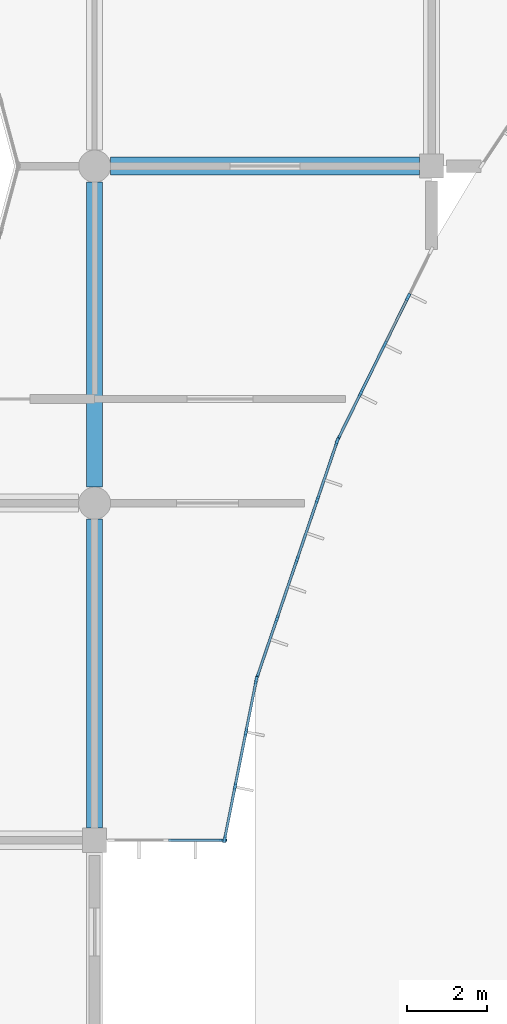
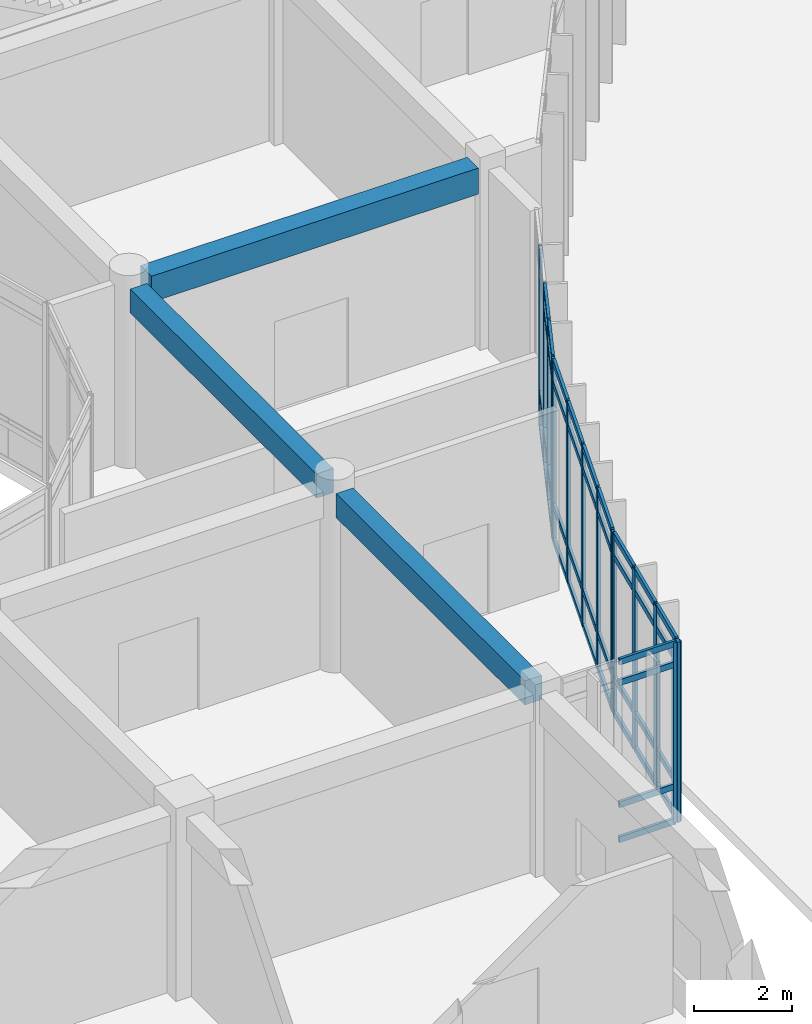
# One storey, part 53 of 138: 56 members, 3 beams, 4 elements without a shape of their own.
"""IFC4 building model written with IfcOpenShell, lengths in metres."""

from ifc_helpers import new_model, si_unit, direction, frame, origin, origin_2d, place, context, subcontext, project, spatial, rectangle, extrude, material, layer, layer_set, material_profile, profile_set, type_object, element, aggregate, save


model = new_model("IFC4")

# Units and contexts
model_context = context("Model", 3, precision=1e-05, world=origin(), true_north=direction((0.0, 1.0)))
body_context = subcontext(model_context, "Body", "Model", "MODEL_VIEW")
ifc_project = project(units=[si_unit("LENGTHUNIT", "METRE"), si_unit("AREAUNIT", "SQUARE_METRE"), si_unit("VOLUMEUNIT", "CUBIC_METRE"), si_unit("PLANEANGLEUNIT", "RADIAN"), si_unit("MASSUNIT", "GRAM", prefix="KILO")], contexts=[model_context])

# Site, building, storey
site_placement = place(None, origin())
site = spatial("IfcSite", under=ifc_project, at=site_placement, CompositionType="ELEMENT")
building_placement = place(site_placement, origin())
building = spatial("IfcBuilding", under=site, at=building_placement, Name="Bramfleet General Hospital", CompositionType="ELEMENT")
storey_placement = place(building_placement, origin())
storey = spatial("IfcBuildingStorey", under=building, at=storey_placement, Name="L00", CompositionType="ELEMENT", Elevation=0.0)

# Beams
ifc_material_1 = material(Name="Concrete C35/45", Category="concrete")
ifc_material_profile_1 = material_profile(ifc_material_1, rectangle(XDim=0.39990234375, YDim=0.60009765625, at=origin_2d()), Name="RC BM 600x400")
ifc_profile_set_1 = profile_set([ifc_material_profile_1], Name="Concrete C35/45")
beam_type_1 = type_object("IfcBeamType", Name="BM-RC600", PredefinedType="BEAM", material=ifc_profile_set_1)
beam_1_placement = place(storey_placement, frame((126.0, 50.699951171875, 4.199951171875), z_axis=(0.0, 1.0, 0.0), x_axis=(-1.0, 0.0, 0.0)))
element("IfcBeam", 1, at=beam_1_placement, inside=storey, type_object=beam_type_1, Name="L00 Grid Beam Y 15-06", PredefinedType="BEAM", context=body_context, shape_type="SweptSolid", body=[
    extrude(rectangle(XDim=0.39990234375, YDim=0.60009765625, at=origin_2d()), origin(), (0.0, 0.0, 1.0), 7.699951171875),
])
beam_2_placement = place(storey_placement, frame((126.0, 59.199951171875, 4.199951171875), z_axis=(0.0, 1.0, 0.0), x_axis=(-1.0, 0.0, 0.0)))
element("IfcBeam", 2, at=beam_2_placement, inside=storey, type_object=beam_type_1, Name="L00 Grid Beam Y 15-07", PredefinedType="BEAM", context=body_context, shape_type="SweptSolid", body=[
    extrude(rectangle(XDim=0.39990234375, YDim=0.60009765625, at=origin_2d()), origin(), (0.0, 0.0, 1.0), 7.60009765625),
])
ifc_material_profile_2 = material_profile(ifc_material_1, rectangle(XDim=0.449951171875, YDim=0.64990234375, at=origin_2d()), Name="RC BM 650x450")
ifc_profile_set_2 = profile_set([ifc_material_profile_2], Name="Concrete C35/45")
beam_type_2 = type_object("IfcBeamType", Name="BM-RC650", PredefinedType="BEAM", material=ifc_profile_set_2)
beam_3_placement = place(storey_placement, frame((126.39990234375, 67.199951171875, 4.175048828125), z_axis=(1.0, 0.0, 0.0), x_axis=(0.0, 1.0, 0.0)))
element("IfcBeam", 3, at=beam_3_placement, inside=storey, type_object=beam_type_2, Name="L00 Grid Beam X 15-08", PredefinedType="BEAM", context=body_context, shape_type="SweptSolid", body=[
    extrude(rectangle(XDim=0.449951171875, YDim=0.64990234375, at=origin_2d()), origin(), (0.0, 0.0, 1.0), 7.7001953125),
])

# Curtain wall, members
ifc_material_2 = material(Name="Anodised aluminium and low-E triple glazing", Category="aluminium")
ifc_layer_1 = layer(ifc_material_2, 0.179931640625, Name="CWT-CW-18")
ifc_layer_set_1 = layer_set([ifc_layer_1], Name="Anodised aluminium and low-E triple glazing")
curtain_wall_type_1 = type_object("IfcCurtainWallType", Name="CWT-CW-18", PredefinedType="USERDEFINED", material=ifc_layer_set_1)
curtain_wall_1_placement = place(storey_placement, origin())
curtain_wall_1 = element("IfcCurtainWall", 4, at=curtain_wall_1_placement, inside=storey, type_object=curtain_wall_type_1, Name="L00 Curtain Wall 18", ObjectType="Stick curtain wall", PredefinedType="USERDEFINED")
ifc_material_3 = material(Name="Structural timber GL28h", Category="wood")
ifc_material_profile_3 = material_profile(ifc_material_3, rectangle(XDim=0.070068359375, YDim=0.18994140625, at=origin_2d()), Name="LARCH 190x70")
ifc_profile_set_3 = profile_set([ifc_material_profile_3], Name="Structural timber GL28h")
member_type_1 = type_object("IfcMemberType", Name="CWM-LARCH450", PredefinedType="MULLION", material=ifc_profile_set_3)
member_1_placement = place(storey_placement, frame((133.8134765625, 63.936767578125, 0.0), z_axis=(0.0, 0.0, 1.0), x_axis=(0.896864723513, -0.442304948782, 0.0)))
member_1 = element("IfcMember", 5, at=member_1_placement, type_object=member_type_1, Name="CW-18 mullion 2", PredefinedType="MULLION", context=body_context, shape_type="SweptSolid", body=[
    extrude(rectangle(XDim=0.070068359375, YDim=0.18994140625, at=origin_2d()), origin(), (0.0, 0.0, 1.0), 4.489990234375),
])
member_2_placement = place(storey_placement, frame((133.22705078125, 62.74755859375, 0.0), z_axis=(0.0, 0.0, 1.0), x_axis=(0.896864723513, -0.442304948782, 0.0)))
member_2 = element("IfcMember", 6, at=member_2_placement, type_object=member_type_1, Name="CW-18 mullion 3", PredefinedType="MULLION", context=body_context, shape_type="SweptSolid", body=[
    extrude(rectangle(XDim=0.070068359375, YDim=0.18994140625, at=origin_2d()), origin(), (0.0, 0.0, 1.0), 4.489990234375),
])
member_3_placement = place(storey_placement, frame((132.640380859375, 61.558349609375, 0.0), z_axis=(0.0, 0.0, 1.0), x_axis=(0.896864723513, -0.442304948782, 0.0)))
member_3 = element("IfcMember", 7, at=member_3_placement, type_object=member_type_1, Name="CW-18 mullion 4", PredefinedType="MULLION", context=body_context, shape_type="SweptSolid", body=[
    extrude(rectangle(XDim=0.070068359375, YDim=0.18994140625, at=origin_2d()), origin(), (0.0, 0.0, 1.0), 4.489990234375),
])
member_4_placement = place(storey_placement, frame((132.069580078125, 60.400390625, 0.0), z_axis=(0.0, 0.0, 1.0), x_axis=(0.896864723513, -0.442304948782, 0.0)))
member_4 = element("IfcMember", 8, at=member_4_placement, type_object=member_type_1, Name="CW-18 mullion 5", PredefinedType="MULLION", context=body_context, shape_type="SweptSolid", body=[
    extrude(rectangle(XDim=0.070068359375, YDim=0.18994140625, at=origin_2d()), origin(), (0.0, 0.0, 1.0), 4.489990234375),
])

ifc_layer_2 = layer(ifc_material_2, 0.179931640625, Name="CWT-CW-01")
ifc_layer_set_2 = layer_set([ifc_layer_2], Name="Anodised aluminium and low-E triple glazing")
curtain_wall_type_2 = type_object("IfcCurtainWallType", Name="CWT-CW-01", PredefinedType="USERDEFINED", material=ifc_layer_set_2)
curtain_wall_2_placement = place(storey_placement, origin())
curtain_wall_2 = element("IfcCurtainWall", 9, at=curtain_wall_2_placement, inside=storey, type_object=curtain_wall_type_2, Name="L00 Curtain Wall 19", ObjectType="Unitised curtain wall", PredefinedType="USERDEFINED")
member_5_placement = place(storey_placement, frame((132.042724609375, 60.3359375, 0.0), z_axis=(0.0, 0.0, 1.0), x_axis=(0.946949276617, -0.321383054181, 0.0)))
member_5 = element("IfcMember", 10, at=member_5_placement, type_object=member_type_1, Name="CW-01 mullion 1", PredefinedType="MULLION", context=body_context, shape_type="SweptSolid", body=[
    extrude(rectangle(XDim=0.070068359375, YDim=0.18994140625, at=origin_2d()), origin(), (0.0, 0.0, 1.0), 4.489990234375),
])
member_6_placement = place(storey_placement, frame((131.549560546875, 58.882568359375, 0.0), z_axis=(0.0, 0.0, 1.0), x_axis=(0.946949276617, -0.321383054181, 0.0)))
member_6 = element("IfcMember", 11, at=member_6_placement, type_object=member_type_1, Name="CW-01 mullion 2", PredefinedType="MULLION", context=body_context, shape_type="SweptSolid", body=[
    extrude(rectangle(XDim=0.070068359375, YDim=0.18994140625, at=origin_2d()), origin(), (0.0, 0.0, 1.0), 4.489990234375),
])
member_7_placement = place(storey_placement, frame((131.044921875, 57.39599609375, 0.0), z_axis=(0.0, 0.0, 1.0), x_axis=(0.946949276617, -0.321383054181, 0.0)))
member_7 = element("IfcMember", 12, at=member_7_placement, type_object=member_type_1, Name="CW-01 mullion 3", PredefinedType="MULLION", context=body_context, shape_type="SweptSolid", body=[
    extrude(rectangle(XDim=0.070068359375, YDim=0.18994140625, at=origin_2d()), origin(), (0.0, 0.0, 1.0), 4.489990234375),
])
member_8_placement = place(storey_placement, frame((130.54052734375, 55.909423828125, 0.0), z_axis=(0.0, 0.0, 1.0), x_axis=(0.946949276617, -0.321383054181, 0.0)))
member_8 = element("IfcMember", 13, at=member_8_placement, type_object=member_type_1, Name="CW-01 mullion 4", PredefinedType="MULLION", context=body_context, shape_type="SweptSolid", body=[
    extrude(rectangle(XDim=0.070068359375, YDim=0.18994140625, at=origin_2d()), origin(), (0.0, 0.0, 1.0), 4.489990234375),
])
member_9_placement = place(storey_placement, frame((130.04736328125, 54.4560546875, 0.0), z_axis=(0.0, 0.0, 1.0), x_axis=(0.946949276617, -0.321383054181, 0.0)))
member_9 = element("IfcMember", 14, at=member_9_placement, type_object=member_type_1, Name="CW-01 mullion 5", PredefinedType="MULLION", context=body_context, shape_type="SweptSolid", body=[
    extrude(rectangle(XDim=0.070068359375, YDim=0.18994140625, at=origin_2d()), origin(), (0.0, 0.0, 1.0), 4.489990234375),
])

ifc_layer_3 = layer(ifc_material_2, 0.179931640625, Name="CWT-CW-02")
ifc_layer_set_3 = layer_set([ifc_layer_3], Name="Anodised aluminium and low-E triple glazing")
curtain_wall_type_3 = type_object("IfcCurtainWallType", Name="CWT-CW-02", PredefinedType="USERDEFINED", material=ifc_layer_set_3)
curtain_wall_3_placement = place(storey_placement, origin())
curtain_wall_3 = element("IfcCurtainWall", 15, at=curtain_wall_3_placement, inside=storey, type_object=curtain_wall_type_3, Name="L00 Curtain Wall 20", ObjectType="Unitised curtain wall", PredefinedType="USERDEFINED")
member_10_placement = place(storey_placement, frame((130.029052734375, 54.388671875, 0.0), z_axis=(0.0, 0.0, 1.0), x_axis=(0.980749087161, -0.195272189606, 0.0)))
member_10 = element("IfcMember", 16, at=member_10_placement, type_object=member_type_1, Name="CW-02 mullion 1", PredefinedType="MULLION", context=body_context, shape_type="SweptSolid", body=[
    extrude(rectangle(XDim=0.070068359375, YDim=0.18994140625, at=origin_2d()), origin(), (0.0, 0.0, 1.0), 4.489990234375),
])
member_11_placement = place(storey_placement, frame((129.76904296875, 53.08203125, 0.0), z_axis=(0.0, 0.0, 1.0), x_axis=(0.980749087161, -0.195272189606, 0.0)))
member_11 = element("IfcMember", 17, at=member_11_placement, type_object=member_type_1, Name="CW-02 mullion 2", PredefinedType="MULLION", context=body_context, shape_type="SweptSolid", body=[
    extrude(rectangle(XDim=0.070068359375, YDim=0.18994140625, at=origin_2d()), origin(), (0.0, 0.0, 1.0), 4.489990234375),
])
member_12_placement = place(storey_placement, frame((129.501953125, 51.740966796875, 0.0), z_axis=(0.0, 0.0, 1.0), x_axis=(0.980749087161, -0.195272189606, 0.0)))
member_12 = element("IfcMember", 18, at=member_12_placement, type_object=member_type_1, Name="CW-02 mullion 3", PredefinedType="MULLION", context=body_context, shape_type="SweptSolid", body=[
    extrude(rectangle(XDim=0.070068359375, YDim=0.18994140625, at=origin_2d()), origin(), (0.0, 0.0, 1.0), 4.489990234375),
])
member_13_placement = place(storey_placement, frame((129.241943359375, 50.434326171875, 0.0), z_axis=(0.0, 0.0, 1.0), x_axis=(0.980749087161, -0.195272189606, 0.0)))
member_13 = element("IfcMember", 19, at=member_13_placement, type_object=member_type_1, Name="CW-02 mullion 4", PredefinedType="MULLION", context=body_context, shape_type="SweptSolid", body=[
    extrude(rectangle(XDim=0.070068359375, YDim=0.18994140625, at=origin_2d()), origin(), (0.0, 0.0, 1.0), 4.489990234375),
])

# Curtain wall, member
ifc_layer_4 = layer(ifc_material_2, 0.179931640625, Name="CWT-CW-03")
ifc_layer_set_4 = layer_set([ifc_layer_4], Name="Anodised aluminium and low-E triple glazing")
curtain_wall_type_4 = type_object("IfcCurtainWallType", Name="CWT-CW-03", PredefinedType="USERDEFINED", material=ifc_layer_set_4)
curtain_wall_4_placement = place(storey_placement, origin())
curtain_wall_4 = element("IfcCurtainWall", 20, at=curtain_wall_4_placement, inside=storey, type_object=curtain_wall_type_4, Name="L00 Curtain Wall 21", ObjectType="Unitised curtain wall", PredefinedType="USERDEFINED")
member_14_placement = place(storey_placement, frame((129.199951171875, 50.39990234375, 0.0), z_axis=(0.0, 0.0, 1.0), x_axis=(0.0, -1.0, 0.0)))
member_14 = element("IfcMember", 21, at=member_14_placement, type_object=member_type_1, Name="CW-03 mullion 1", PredefinedType="MULLION", context=body_context, shape_type="SweptSolid", body=[
    extrude(rectangle(XDim=0.070068359375, YDim=0.18994140625, at=origin_2d()), origin(), (0.0, 0.0, 1.0), 4.489990234375),
])

# Member
ifc_material_profile_4 = material_profile(ifc_material_3, rectangle(XDim=0.06494140625, YDim=0.14990234375, at=origin_2d()), Name="LARCH 150x65")
ifc_profile_set_4 = profile_set([ifc_material_profile_4], Name="Structural timber GL28h")
member_type_2 = type_object("IfcMemberType", Name="CWT-LARCH220", PredefinedType="USERDEFINED", material=ifc_profile_set_4)
member_15_placement = place(storey_placement, frame((133.798095703125, 63.9052734375, 0.032470703125), z_axis=(-0.44238671825, -0.896824392797, 0.0), x_axis=(0.896824392797, -0.44238671825, 0.0)))
member_15 = element("IfcMember", 22, at=member_15_placement, type_object=member_type_2, Name="CW-18 transom 2.1", ObjectType="TRANSOM", PredefinedType="USERDEFINED", context=body_context, shape_type="SweptSolid", body=[
    extrude(rectangle(XDim=0.06494140625, YDim=0.14990234375, at=origin_2d()), origin(), (0.0, 0.0, 1.0), 1.256103515625),
])

member_16_placement = place(storey_placement, frame((133.798095703125, 63.9052734375, 0.89990234375), z_axis=(-0.44238671825, -0.896824392797, 0.0), x_axis=(0.896824392797, -0.44238671825, 0.0)))
member_16 = element("IfcMember", 23, at=member_16_placement, type_object=member_type_2, Name="CW-18 transom 2.2", ObjectType="TRANSOM", PredefinedType="USERDEFINED", context=body_context, shape_type="SweptSolid", body=[
    extrude(rectangle(XDim=0.06494140625, YDim=0.14990234375, at=origin_2d()), origin(), (0.0, 0.0, 1.0), 1.256103515625),
])

member_17_placement = place(storey_placement, frame((133.21142578125, 62.716064453125, 0.032470703125), z_axis=(-0.442230367252, -0.89690150088, 0.0), x_axis=(0.89690150088, -0.442230367252, 0.0)))
member_17 = element("IfcMember", 24, at=member_17_placement, type_object=member_type_2, Name="CW-18 transom 3.1", ObjectType="TRANSOM", PredefinedType="USERDEFINED", context=body_context, shape_type="SweptSolid", body=[
    extrude(rectangle(XDim=0.06494140625, YDim=0.14990234375, at=origin_2d()), origin(), (0.0, 0.0, 1.0), 1.255859375),
])

member_18_placement = place(storey_placement, frame((133.21142578125, 62.716064453125, 0.89990234375), z_axis=(-0.442230367252, -0.89690150088, 0.0), x_axis=(0.89690150088, -0.442230367252, 0.0)))
member_18 = element("IfcMember", 25, at=member_18_placement, type_object=member_type_2, Name="CW-18 transom 3.2", ObjectType="TRANSOM", PredefinedType="USERDEFINED", context=body_context, shape_type="SweptSolid", body=[
    extrude(rectangle(XDim=0.06494140625, YDim=0.14990234375, at=origin_2d()), origin(), (0.0, 0.0, 1.0), 1.255859375),
])

member_19_placement = place(storey_placement, frame((133.21142578125, 62.716064453125, 3.93994140625), z_axis=(-0.442230367252, -0.89690150088, 0.0), x_axis=(0.89690150088, -0.442230367252, 0.0)))
member_19 = element("IfcMember", 26, at=member_19_placement, type_object=member_type_2, Name="CW-18 transom 3.3", ObjectType="TRANSOM", PredefinedType="USERDEFINED", context=body_context, shape_type="SweptSolid", body=[
    extrude(rectangle(XDim=0.06494140625, YDim=0.14990234375, at=origin_2d()), origin(), (0.0, 0.0, 1.0), 1.255859375),
])

member_20_placement = place(storey_placement, frame((133.21142578125, 62.716064453125, 4.45751953125), z_axis=(-0.442230367252, -0.89690150088, 0.0), x_axis=(0.89690150088, -0.442230367252, 0.0)))
member_20 = element("IfcMember", 27, at=member_20_placement, type_object=member_type_2, Name="CW-18 transom 3.4", ObjectType="TRANSOM", PredefinedType="USERDEFINED", context=body_context, shape_type="SweptSolid", body=[
    extrude(rectangle(XDim=0.06494140625, YDim=0.14990234375, at=origin_2d()), origin(), (0.0, 0.0, 1.0), 1.255859375),
])

member_21_placement = place(storey_placement, frame((132.625, 61.52685546875, 0.032470703125), z_axis=(-0.442327738397, -0.896853484046, 0.0), x_axis=(0.896853484046, -0.442327738397, 0.0)))
member_21 = element("IfcMember", 28, at=member_21_placement, type_object=member_type_2, Name="CW-18 transom 4.1", ObjectType="TRANSOM", PredefinedType="USERDEFINED", context=body_context, shape_type="SweptSolid", body=[
    extrude(rectangle(XDim=0.06494140625, YDim=0.14990234375, at=origin_2d()), origin(), (0.0, 0.0, 1.0), 1.220947265625),
])

member_22_placement = place(storey_placement, frame((132.625, 61.52685546875, 0.89990234375), z_axis=(-0.442327738397, -0.896853484046, 0.0), x_axis=(0.896853484046, -0.442327738397, 0.0)))
member_22 = element("IfcMember", 29, at=member_22_placement, type_object=member_type_2, Name="CW-18 transom 4.2", ObjectType="TRANSOM", PredefinedType="USERDEFINED", context=body_context, shape_type="SweptSolid", body=[
    extrude(rectangle(XDim=0.06494140625, YDim=0.14990234375, at=origin_2d()), origin(), (0.0, 0.0, 1.0), 1.220947265625),
])

member_23_placement = place(storey_placement, frame((132.625, 61.52685546875, 3.93994140625), z_axis=(-0.442327738397, -0.896853484046, 0.0), x_axis=(0.896853484046, -0.442327738397, 0.0)))
member_23 = element("IfcMember", 30, at=member_23_placement, type_object=member_type_2, Name="CW-18 transom 4.3", ObjectType="TRANSOM", PredefinedType="USERDEFINED", context=body_context, shape_type="SweptSolid", body=[
    extrude(rectangle(XDim=0.06494140625, YDim=0.14990234375, at=origin_2d()), origin(), (0.0, 0.0, 1.0), 1.220947265625),
])

member_24_placement = place(storey_placement, frame((132.625, 61.52685546875, 4.45751953125), z_axis=(-0.442327738397, -0.896853484046, 0.0), x_axis=(0.896853484046, -0.442327738397, 0.0)))
member_24 = element("IfcMember", 31, at=member_24_placement, type_object=member_type_2, Name="CW-18 transom 4.4", ObjectType="TRANSOM", PredefinedType="USERDEFINED", context=body_context, shape_type="SweptSolid", body=[
    extrude(rectangle(XDim=0.06494140625, YDim=0.14990234375, at=origin_2d()), origin(), (0.0, 0.0, 1.0), 1.220947265625),
])

aggregate(curtain_wall_1, [member_1, member_2, member_3, member_4, member_15, member_16, member_17, member_18, member_19, member_20, member_21, member_22, member_23, member_24])

member_25_placement = place(storey_placement, frame((132.031494140625, 60.302734375, 0.032470703125), z_axis=(-0.32132303331, -0.946969644848, 0.0), x_axis=(0.946969644848, -0.32132303331, 0.0)))
member_25 = element("IfcMember", 32, at=member_25_placement, type_object=member_type_2, Name="CW-01 transom 1.1", ObjectType="TRANSOM", PredefinedType="USERDEFINED", context=body_context, shape_type="SweptSolid", body=[
    extrude(rectangle(XDim=0.06494140625, YDim=0.14990234375, at=origin_2d()), origin(), (0.0, 0.0, 1.0), 1.46484375),
])

member_26_placement = place(storey_placement, frame((132.031494140625, 60.302734375, 0.89990234375), z_axis=(-0.32132303331, -0.946969644848, 0.0), x_axis=(0.946969644848, -0.32132303331, 0.0)))
member_26 = element("IfcMember", 33, at=member_26_placement, type_object=member_type_2, Name="CW-01 transom 1.2", ObjectType="TRANSOM", PredefinedType="USERDEFINED", context=body_context, shape_type="SweptSolid", body=[
    extrude(rectangle(XDim=0.06494140625, YDim=0.14990234375, at=origin_2d()), origin(), (0.0, 0.0, 1.0), 1.46484375),
])

member_27_placement = place(storey_placement, frame((132.031494140625, 60.302734375, 3.93994140625), z_axis=(-0.32132303331, -0.946969644848, 0.0), x_axis=(0.946969644848, -0.32132303331, 0.0)))
member_27 = element("IfcMember", 34, at=member_27_placement, type_object=member_type_2, Name="CW-01 transom 1.3", ObjectType="TRANSOM", PredefinedType="USERDEFINED", context=body_context, shape_type="SweptSolid", body=[
    extrude(rectangle(XDim=0.06494140625, YDim=0.14990234375, at=origin_2d()), origin(), (0.0, 0.0, 1.0), 1.46484375),
])

member_28_placement = place(storey_placement, frame((132.031494140625, 60.302734375, 4.45751953125), z_axis=(-0.32132303331, -0.946969644848, 0.0), x_axis=(0.946969644848, -0.32132303331, 0.0)))
member_28 = element("IfcMember", 35, at=member_28_placement, type_object=member_type_2, Name="CW-01 transom 1.4", ObjectType="TRANSOM", PredefinedType="USERDEFINED", context=body_context, shape_type="SweptSolid", body=[
    extrude(rectangle(XDim=0.06494140625, YDim=0.14990234375, at=origin_2d()), origin(), (0.0, 0.0, 1.0), 1.46484375),
])

member_29_placement = place(storey_placement, frame((131.538330078125, 58.849365234375, 0.032470703125), z_axis=(-0.32149705863, -0.946910577242, 0.0), x_axis=(0.946910577242, -0.32149705863, 0.0)))
member_29 = element("IfcMember", 36, at=member_29_placement, type_object=member_type_2, Name="CW-01 transom 2.1", ObjectType="TRANSOM", PredefinedType="USERDEFINED", context=body_context, shape_type="SweptSolid", body=[
    extrude(rectangle(XDim=0.06494140625, YDim=0.14990234375, at=origin_2d()), origin(), (0.0, 0.0, 1.0), 1.499755859375),
])

member_30_placement = place(storey_placement, frame((131.538330078125, 58.849365234375, 0.89990234375), z_axis=(-0.32149705863, -0.946910577242, 0.0), x_axis=(0.946910577242, -0.32149705863, 0.0)))
member_30 = element("IfcMember", 37, at=member_30_placement, type_object=member_type_2, Name="CW-01 transom 2.2", ObjectType="TRANSOM", PredefinedType="USERDEFINED", context=body_context, shape_type="SweptSolid", body=[
    extrude(rectangle(XDim=0.06494140625, YDim=0.14990234375, at=origin_2d()), origin(), (0.0, 0.0, 1.0), 1.499755859375),
])

member_31_placement = place(storey_placement, frame((131.538330078125, 58.849365234375, 3.93994140625), z_axis=(-0.32149705863, -0.946910577242, 0.0), x_axis=(0.946910577242, -0.32149705863, 0.0)))
member_31 = element("IfcMember", 38, at=member_31_placement, type_object=member_type_2, Name="CW-01 transom 2.3", ObjectType="TRANSOM", PredefinedType="USERDEFINED", context=body_context, shape_type="SweptSolid", body=[
    extrude(rectangle(XDim=0.06494140625, YDim=0.14990234375, at=origin_2d()), origin(), (0.0, 0.0, 1.0), 1.499755859375),
])

member_32_placement = place(storey_placement, frame((131.538330078125, 58.849365234375, 4.45751953125), z_axis=(-0.32149705863, -0.946910577242, 0.0), x_axis=(0.946910577242, -0.32149705863, 0.0)))
member_32 = element("IfcMember", 39, at=member_32_placement, type_object=member_type_2, Name="CW-01 transom 2.4", ObjectType="TRANSOM", PredefinedType="USERDEFINED", context=body_context, shape_type="SweptSolid", body=[
    extrude(rectangle(XDim=0.06494140625, YDim=0.14990234375, at=origin_2d()), origin(), (0.0, 0.0, 1.0), 1.499755859375),
])

member_33_placement = place(storey_placement, frame((131.03369140625, 57.36279296875, 0.032470703125), z_axis=(-0.321351089195, -0.946960124542, 0.0), x_axis=(0.946960124542, -0.321351089195, 0.0)))
member_33 = element("IfcMember", 40, at=member_33_placement, type_object=member_type_2, Name="CW-01 transom 3.1", ObjectType="TRANSOM", PredefinedType="USERDEFINED", context=body_context, shape_type="SweptSolid", body=[
    extrude(rectangle(XDim=0.06494140625, YDim=0.14990234375, at=origin_2d()), origin(), (0.0, 0.0, 1.0), 1.499755859375),
])

member_34_placement = place(storey_placement, frame((131.03369140625, 57.36279296875, 0.89990234375), z_axis=(-0.321351089195, -0.946960124542, 0.0), x_axis=(0.946960124542, -0.321351089195, 0.0)))
member_34 = element("IfcMember", 41, at=member_34_placement, type_object=member_type_2, Name="CW-01 transom 3.2", ObjectType="TRANSOM", PredefinedType="USERDEFINED", context=body_context, shape_type="SweptSolid", body=[
    extrude(rectangle(XDim=0.06494140625, YDim=0.14990234375, at=origin_2d()), origin(), (0.0, 0.0, 1.0), 1.499755859375),
])

member_35_placement = place(storey_placement, frame((131.03369140625, 57.36279296875, 3.93994140625), z_axis=(-0.321351089195, -0.946960124542, 0.0), x_axis=(0.946960124542, -0.321351089195, 0.0)))
member_35 = element("IfcMember", 42, at=member_35_placement, type_object=member_type_2, Name="CW-01 transom 3.3", ObjectType="TRANSOM", PredefinedType="USERDEFINED", context=body_context, shape_type="SweptSolid", body=[
    extrude(rectangle(XDim=0.06494140625, YDim=0.14990234375, at=origin_2d()), origin(), (0.0, 0.0, 1.0), 1.499755859375),
])

member_36_placement = place(storey_placement, frame((131.03369140625, 57.36279296875, 4.45751953125), z_axis=(-0.321351089195, -0.946960124542, 0.0), x_axis=(0.946960124542, -0.321351089195, 0.0)))
member_36 = element("IfcMember", 43, at=member_36_placement, type_object=member_type_2, Name="CW-01 transom 3.4", ObjectType="TRANSOM", PredefinedType="USERDEFINED", context=body_context, shape_type="SweptSolid", body=[
    extrude(rectangle(XDim=0.06494140625, YDim=0.14990234375, at=origin_2d()), origin(), (0.0, 0.0, 1.0), 1.499755859375),
])

member_37_placement = place(storey_placement, frame((130.529296875, 55.87646484375, 0.032470703125), z_axis=(-0.32132303331, -0.946969644848, 0.0), x_axis=(0.946969644848, -0.32132303331, 0.0)))
member_37 = element("IfcMember", 44, at=member_37_placement, type_object=member_type_2, Name="CW-01 transom 4.1", ObjectType="TRANSOM", PredefinedType="USERDEFINED", context=body_context, shape_type="SweptSolid", body=[
    extrude(rectangle(XDim=0.06494140625, YDim=0.14990234375, at=origin_2d()), origin(), (0.0, 0.0, 1.0), 1.46484375),
])

member_38_placement = place(storey_placement, frame((130.529296875, 55.87646484375, 0.89990234375), z_axis=(-0.32132303331, -0.946969644848, 0.0), x_axis=(0.946969644848, -0.32132303331, 0.0)))
member_38 = element("IfcMember", 45, at=member_38_placement, type_object=member_type_2, Name="CW-01 transom 4.2", ObjectType="TRANSOM", PredefinedType="USERDEFINED", context=body_context, shape_type="SweptSolid", body=[
    extrude(rectangle(XDim=0.06494140625, YDim=0.14990234375, at=origin_2d()), origin(), (0.0, 0.0, 1.0), 1.46484375),
])

member_39_placement = place(storey_placement, frame((130.529296875, 55.87646484375, 3.93994140625), z_axis=(-0.32132303331, -0.946969644848, 0.0), x_axis=(0.946969644848, -0.32132303331, 0.0)))
member_39 = element("IfcMember", 46, at=member_39_placement, type_object=member_type_2, Name="CW-01 transom 4.3", ObjectType="TRANSOM", PredefinedType="USERDEFINED", context=body_context, shape_type="SweptSolid", body=[
    extrude(rectangle(XDim=0.06494140625, YDim=0.14990234375, at=origin_2d()), origin(), (0.0, 0.0, 1.0), 1.46484375),
])

member_40_placement = place(storey_placement, frame((130.529296875, 55.87646484375, 4.45751953125), z_axis=(-0.32132303331, -0.946969644848, 0.0), x_axis=(0.946969644848, -0.32132303331, 0.0)))
member_40 = element("IfcMember", 47, at=member_40_placement, type_object=member_type_2, Name="CW-01 transom 4.4", ObjectType="TRANSOM", PredefinedType="USERDEFINED", context=body_context, shape_type="SweptSolid", body=[
    extrude(rectangle(XDim=0.06494140625, YDim=0.14990234375, at=origin_2d()), origin(), (0.0, 0.0, 1.0), 1.46484375),
])

aggregate(curtain_wall_2, [member_5, member_6, member_7, member_8, member_9, member_25, member_26, member_27, member_28, member_29, member_30, member_31, member_32, member_33, member_34, member_35, member_36, member_37, member_38, member_39, member_40])

member_41_placement = place(storey_placement, frame((130.022216796875, 54.354248046875, 0.032470703125), z_axis=(-0.195148998153, -0.980773607169, 0.0), x_axis=(0.980773607169, -0.195148998153, 0.0)))
member_41 = element("IfcMember", 48, at=member_41_placement, type_object=member_type_2, Name="CW-02 transom 1.1", ObjectType="TRANSOM", PredefinedType="USERDEFINED", context=body_context, shape_type="SweptSolid", body=[
    extrude(rectangle(XDim=0.06494140625, YDim=0.14990234375, at=origin_2d()), origin(), (0.0, 0.0, 1.0), 1.26220703125),
])

member_42_placement = place(storey_placement, frame((130.022216796875, 54.354248046875, 0.89990234375), z_axis=(-0.195148998153, -0.980773607169, 0.0), x_axis=(0.980773607169, -0.195148998153, 0.0)))
member_42 = element("IfcMember", 49, at=member_42_placement, type_object=member_type_2, Name="CW-02 transom 1.2", ObjectType="TRANSOM", PredefinedType="USERDEFINED", context=body_context, shape_type="SweptSolid", body=[
    extrude(rectangle(XDim=0.06494140625, YDim=0.14990234375, at=origin_2d()), origin(), (0.0, 0.0, 1.0), 1.26220703125),
])

member_43_placement = place(storey_placement, frame((130.022216796875, 54.354248046875, 3.93994140625), z_axis=(-0.195148998153, -0.980773607169, 0.0), x_axis=(0.980773607169, -0.195148998153, 0.0)))
member_43 = element("IfcMember", 50, at=member_43_placement, type_object=member_type_2, Name="CW-02 transom 1.3", ObjectType="TRANSOM", PredefinedType="USERDEFINED", context=body_context, shape_type="SweptSolid", body=[
    extrude(rectangle(XDim=0.06494140625, YDim=0.14990234375, at=origin_2d()), origin(), (0.0, 0.0, 1.0), 1.26220703125),
])

member_44_placement = place(storey_placement, frame((130.022216796875, 54.354248046875, 4.45751953125), z_axis=(-0.195148998153, -0.980773607169, 0.0), x_axis=(0.980773607169, -0.195148998153, 0.0)))
member_44 = element("IfcMember", 51, at=member_44_placement, type_object=member_type_2, Name="CW-02 transom 1.4", ObjectType="TRANSOM", PredefinedType="USERDEFINED", context=body_context, shape_type="SweptSolid", body=[
    extrude(rectangle(XDim=0.06494140625, YDim=0.14990234375, at=origin_2d()), origin(), (0.0, 0.0, 1.0), 1.26220703125),
])

member_45_placement = place(storey_placement, frame((129.76220703125, 53.047607421875, 0.032470703125), z_axis=(-0.195356020565, -0.98073239226, 0.0), x_axis=(0.98073239226, -0.195356020565, 0.0)))
member_45 = element("IfcMember", 52, at=member_45_placement, type_object=member_type_2, Name="CW-02 transom 2.1", ObjectType="TRANSOM", PredefinedType="USERDEFINED", context=body_context, shape_type="SweptSolid", body=[
    extrude(rectangle(XDim=0.06494140625, YDim=0.14990234375, at=origin_2d()), origin(), (0.0, 0.0, 1.0), 1.297119140625),
])

member_46_placement = place(storey_placement, frame((129.76220703125, 53.047607421875, 0.89990234375), z_axis=(-0.195356020565, -0.98073239226, 0.0), x_axis=(0.98073239226, -0.195356020565, 0.0)))
member_46 = element("IfcMember", 53, at=member_46_placement, type_object=member_type_2, Name="CW-02 transom 2.2", ObjectType="TRANSOM", PredefinedType="USERDEFINED", context=body_context, shape_type="SweptSolid", body=[
    extrude(rectangle(XDim=0.06494140625, YDim=0.14990234375, at=origin_2d()), origin(), (0.0, 0.0, 1.0), 1.297119140625),
])

member_47_placement = place(storey_placement, frame((129.76220703125, 53.047607421875, 3.93994140625), z_axis=(-0.195356020565, -0.98073239226, 0.0), x_axis=(0.98073239226, -0.195356020565, 0.0)))
member_47 = element("IfcMember", 54, at=member_47_placement, type_object=member_type_2, Name="CW-02 transom 2.3", ObjectType="TRANSOM", PredefinedType="USERDEFINED", context=body_context, shape_type="SweptSolid", body=[
    extrude(rectangle(XDim=0.06494140625, YDim=0.14990234375, at=origin_2d()), origin(), (0.0, 0.0, 1.0), 1.297119140625),
])

member_48_placement = place(storey_placement, frame((129.76220703125, 53.047607421875, 4.45751953125), z_axis=(-0.195356020565, -0.98073239226, 0.0), x_axis=(0.98073239226, -0.195356020565, 0.0)))
member_48 = element("IfcMember", 55, at=member_48_placement, type_object=member_type_2, Name="CW-02 transom 2.4", ObjectType="TRANSOM", PredefinedType="USERDEFINED", context=body_context, shape_type="SweptSolid", body=[
    extrude(rectangle(XDim=0.06494140625, YDim=0.14990234375, at=origin_2d()), origin(), (0.0, 0.0, 1.0), 1.297119140625),
])

member_49_placement = place(storey_placement, frame((129.4951171875, 51.706787109375, 0.032470703125), z_axis=(-0.195148998153, -0.980773607169, 0.0), x_axis=(0.980773607169, -0.195148998153, 0.0)))
member_49 = element("IfcMember", 56, at=member_49_placement, type_object=member_type_2, Name="CW-02 transom 3.1", ObjectType="TRANSOM", PredefinedType="USERDEFINED", context=body_context, shape_type="SweptSolid", body=[
    extrude(rectangle(XDim=0.06494140625, YDim=0.14990234375, at=origin_2d()), origin(), (0.0, 0.0, 1.0), 1.26220703125),
])

member_50_placement = place(storey_placement, frame((129.4951171875, 51.706787109375, 0.89990234375), z_axis=(-0.195148998153, -0.980773607169, 0.0), x_axis=(0.980773607169, -0.195148998153, 0.0)))
member_50 = element("IfcMember", 57, at=member_50_placement, type_object=member_type_2, Name="CW-02 transom 3.2", ObjectType="TRANSOM", PredefinedType="USERDEFINED", context=body_context, shape_type="SweptSolid", body=[
    extrude(rectangle(XDim=0.06494140625, YDim=0.14990234375, at=origin_2d()), origin(), (0.0, 0.0, 1.0), 1.26220703125),
])

member_51_placement = place(storey_placement, frame((129.4951171875, 51.706787109375, 3.93994140625), z_axis=(-0.195148998153, -0.980773607169, 0.0), x_axis=(0.980773607169, -0.195148998153, 0.0)))
member_51 = element("IfcMember", 58, at=member_51_placement, type_object=member_type_2, Name="CW-02 transom 3.3", ObjectType="TRANSOM", PredefinedType="USERDEFINED", context=body_context, shape_type="SweptSolid", body=[
    extrude(rectangle(XDim=0.06494140625, YDim=0.14990234375, at=origin_2d()), origin(), (0.0, 0.0, 1.0), 1.26220703125),
])

member_52_placement = place(storey_placement, frame((129.4951171875, 51.706787109375, 4.45751953125), z_axis=(-0.195148998153, -0.980773607169, 0.0), x_axis=(0.980773607169, -0.195148998153, 0.0)))
member_52 = element("IfcMember", 59, at=member_52_placement, type_object=member_type_2, Name="CW-02 transom 3.4", ObjectType="TRANSOM", PredefinedType="USERDEFINED", context=body_context, shape_type="SweptSolid", body=[
    extrude(rectangle(XDim=0.06494140625, YDim=0.14990234375, at=origin_2d()), origin(), (0.0, 0.0, 1.0), 1.26220703125),
])

aggregate(curtain_wall_3, [member_10, member_11, member_12, member_13, member_41, member_42, member_43, member_44, member_45, member_46, member_47, member_48, member_49, member_50, member_51, member_52])

member_53_placement = place(storey_placement, frame((129.1650390625, 50.39990234375, 0.032470703125), z_axis=(-1.0, 0.0, 0.0), x_axis=(0.0, -1.0, 0.0)))
member_53 = element("IfcMember", 60, at=member_53_placement, type_object=member_type_2, Name="CW-03 transom 1.1", ObjectType="TRANSOM", PredefinedType="USERDEFINED", context=body_context, shape_type="SweptSolid", body=[
    extrude(rectangle(XDim=0.06494140625, YDim=0.14990234375, at=origin_2d()), origin(), (0.0, 0.0, 1.0), 1.324951171875),
])

member_54_placement = place(storey_placement, frame((129.1650390625, 50.39990234375, 0.89990234375), z_axis=(-1.0, 0.0, 0.0), x_axis=(0.0, -1.0, 0.0)))
member_54 = element("IfcMember", 61, at=member_54_placement, type_object=member_type_2, Name="CW-03 transom 1.2", ObjectType="TRANSOM", PredefinedType="USERDEFINED", context=body_context, shape_type="SweptSolid", body=[
    extrude(rectangle(XDim=0.06494140625, YDim=0.14990234375, at=origin_2d()), origin(), (0.0, 0.0, 1.0), 1.324951171875),
])

member_55_placement = place(storey_placement, frame((129.1650390625, 50.39990234375, 3.93994140625), z_axis=(-1.0, 0.0, 0.0), x_axis=(0.0, -1.0, 0.0)))
member_55 = element("IfcMember", 62, at=member_55_placement, type_object=member_type_2, Name="CW-03 transom 1.3", ObjectType="TRANSOM", PredefinedType="USERDEFINED", context=body_context, shape_type="SweptSolid", body=[
    extrude(rectangle(XDim=0.06494140625, YDim=0.14990234375, at=origin_2d()), origin(), (0.0, 0.0, 1.0), 1.324951171875),
])

member_56_placement = place(storey_placement, frame((129.1650390625, 50.39990234375, 4.45751953125), z_axis=(-1.0, 0.0, 0.0), x_axis=(0.0, -1.0, 0.0)))
member_56 = element("IfcMember", 63, at=member_56_placement, type_object=member_type_2, Name="CW-03 transom 1.4", ObjectType="TRANSOM", PredefinedType="USERDEFINED", context=body_context, shape_type="SweptSolid", body=[
    extrude(rectangle(XDim=0.06494140625, YDim=0.14990234375, at=origin_2d()), origin(), (0.0, 0.0, 1.0), 1.324951171875),
])

aggregate(curtain_wall_4, [member_14, member_53, member_54, member_55, member_56])

save(model, "model.ifc")
